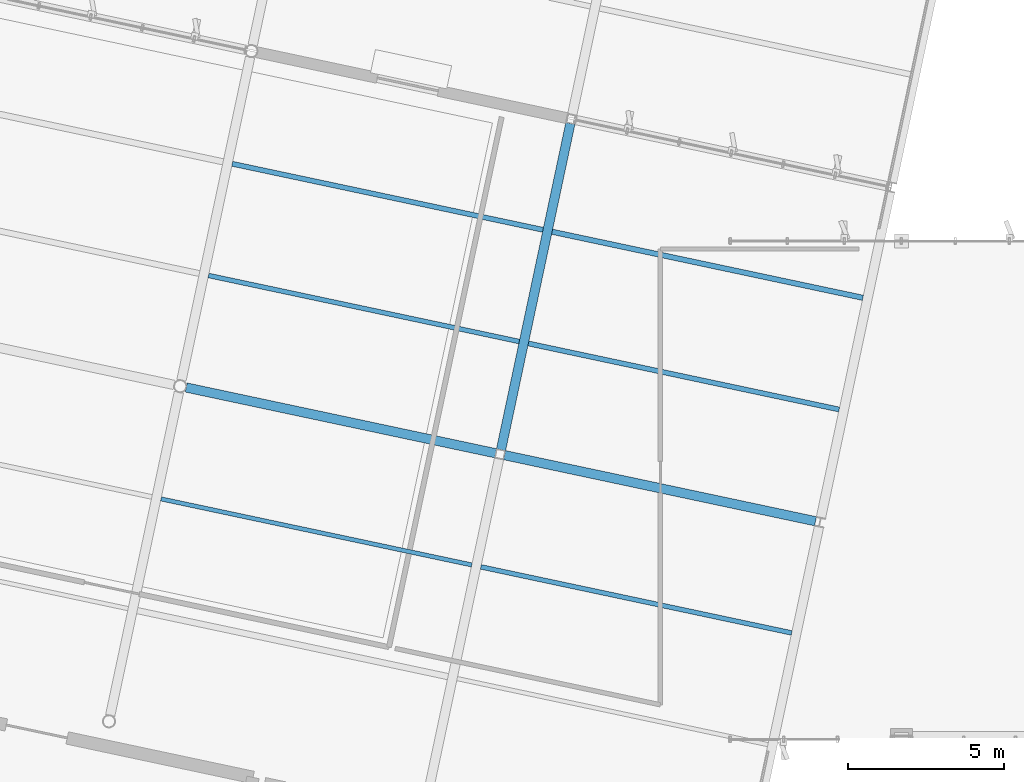
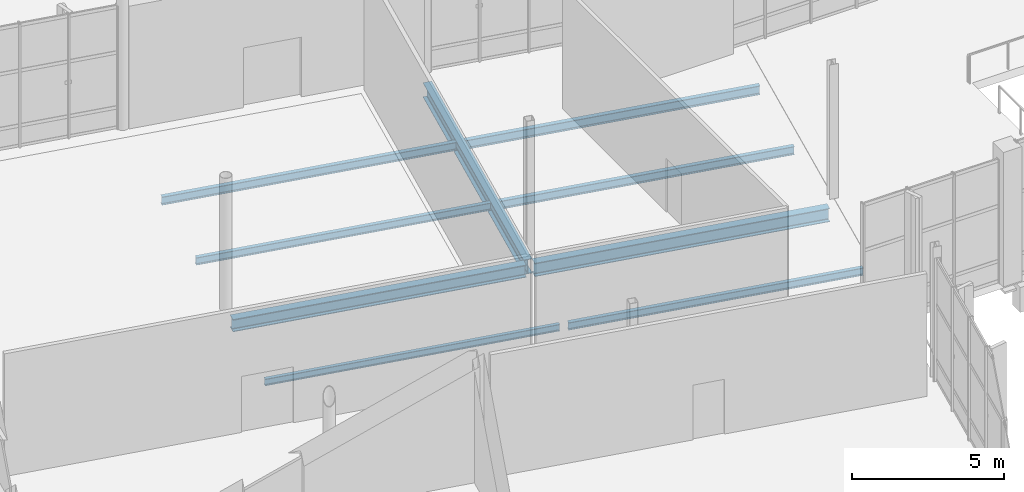
# One storey, part 38 of 176: 9 beams.
"""IFC4 building model written with IfcOpenShell, lengths in metres."""

from ifc_helpers import new_model, si_unit, direction, frame, origin, origin_2d, place, context, subcontext, project, spatial, i_section, extrude, material, material_profile, profile_set, type_object, element, save


model = new_model("IFC4")

# Units and contexts
model_context = context("Model", 3, precision=1e-05, world=origin(), true_north=direction((0.0, 1.0)))
body_context = subcontext(model_context, "Body", "Model", "MODEL_VIEW")
ifc_project = project(units=[si_unit("LENGTHUNIT", "METRE"), si_unit("AREAUNIT", "SQUARE_METRE"), si_unit("VOLUMEUNIT", "CUBIC_METRE"), si_unit("PLANEANGLEUNIT", "RADIAN"), si_unit("MASSUNIT", "GRAM", prefix="KILO")], contexts=[model_context])

# Site, building, storey
site_placement = place(None, origin())
site = spatial("IfcSite", under=ifc_project, at=site_placement, CompositionType="ELEMENT")
building_placement = place(site_placement, origin())
building = spatial("IfcBuilding", under=site, at=building_placement, Name="Khorjan Park Terminus", CompositionType="ELEMENT")
storey_placement = place(building_placement, frame((0.0, 0.0, 6.0)))
storey = spatial("IfcBuildingStorey", under=building, at=storey_placement, Name="L01", CompositionType="ELEMENT", Elevation=6.0)

# Beams
ifc_material = material(Name="Steel S355", Category="steel")
ifc_material_profile_1 = material_profile(ifc_material, i_section(OverallWidth=0.3, OverallDepth=0.54, WebThickness=0.0125, FlangeThickness=0.024, FilletRadius=0.027, at=origin_2d()), Name="HEA 550")
ifc_profile_set_1 = profile_set([ifc_material_profile_1], Name="Steel S355")
beam_type_1 = type_object("IfcBeamType", Name="BM-HEA550", PredefinedType="BEAM", material=ifc_profile_set_1)
beam_1_placement = place(storey_placement, frame((19.257, 59.123, -0.63), z_axis=(0.978147224785, -0.207913459509, 0.0), x_axis=(0.207913459509, 0.978147224785, 0.0)))
element("IfcBeam", 1, at=beam_1_placement, inside=storey, type_object=beam_type_1, Name="Primary skew-grid floor girder SB-A55 (L01)", PredefinedType="BEAM", context=body_context, shape_type="SweptSolid", body=[
    extrude(i_section(OverallWidth=0.3, OverallDepth=0.54, WebThickness=0.0125, FlangeThickness=0.024, FilletRadius=0.027, at=origin_2d()), origin(), (0.0, 0.0, 1.0), 10.21),
])
ifc_material_profile_2 = material_profile(ifc_material, i_section(OverallWidth=0.3, OverallDepth=0.59, WebThickness=0.013, FlangeThickness=0.025, FilletRadius=0.027, at=origin_2d()), Name="HEA 600")
ifc_profile_set_2 = profile_set([ifc_material_profile_2], Name="Steel S355")
beam_type_2 = type_object("IfcBeamType", Name="BM-HEA600", PredefinedType="BEAM", material=ifc_profile_set_2)
beam_2_placement = place(storey_placement, frame((19.1453, 59.2949, -0.655), z_axis=(0.207907890532, 0.978148408502, 0.0), x_axis=(-0.978148408502, 0.207907890532, 0.0)))
element("IfcBeam", 2, at=beam_2_placement, inside=storey, type_object=beam_type_2, Name="Primary skew-grid floor girder SB-A60 (L01)", PredefinedType="BEAM", context=body_context, shape_type="SweptSolid", body=[
    extrude(i_section(OverallWidth=0.3, OverallDepth=0.59, WebThickness=0.013, FlangeThickness=0.025, FilletRadius=0.027, at=origin_2d()), origin(), (0.0, 0.0, 1.0), 10.71),
])
ifc_material_profile_3 = material_profile(ifc_material, i_section(OverallWidth=0.3, OverallDepth=0.5, WebThickness=0.0145, FlangeThickness=0.028, FilletRadius=0.027, at=origin_2d()), Name="HEB 500")
ifc_profile_set_3 = profile_set([ifc_material_profile_3], Name="Steel S355")
beam_type_3 = type_object("IfcBeamType", Name="BM-HEB500", PredefinedType="BEAM", material=ifc_profile_set_3)
beam_3_placement = place(storey_placement, frame((9.0385, 61.295, -0.61), z_axis=(0.978145737137, -0.207920458156, 0.0), x_axis=(0.207920458156, 0.978145737137, 0.0)))
element("IfcBeam", 3, at=beam_3_placement, inside=storey, type_object=beam_type_3, Name="Primary skew-grid floor girder SB-B50 (L01)", PredefinedType="BEAM", context=body_context, shape_type="SweptSolid", body=[
    extrude(i_section(OverallWidth=0.3, OverallDepth=0.5, WebThickness=0.0145, FlangeThickness=0.028, FilletRadius=0.027, at=origin_2d()), origin(), (0.0, 0.0, 1.0), 10.1568),
])
ifc_material_profile_4 = material_profile(ifc_material, i_section(OverallWidth=0.135, OverallDepth=0.27, WebThickness=0.0066, FlangeThickness=0.0102, FilletRadius=0.015, at=origin_2d()), Name="IPE 270")
ifc_profile_set_4 = profile_set([ifc_material_profile_4], Name="Steel S355")
beam_type_4 = type_object("IfcBeamType", Name="JS-IPE270", PredefinedType="JOIST", material=ifc_profile_set_4)
beam_4_placement = place(storey_placement, frame((8.229, 57.7184, -0.495), z_axis=(0.978147562282, -0.207911871719, 0.0), x_axis=(0.207911871719, 0.978147562282, 0.0)))
element("IfcBeam", 4, at=beam_4_placement, inside=storey, type_object=beam_type_4, Name="Secondary composite floor joist SJ-27 (L01)", PredefinedType="JOIST", context=body_context, shape_type="SweptSolid", body=[
    extrude(i_section(OverallWidth=0.135, OverallDepth=0.27, WebThickness=0.0066, FlangeThickness=0.0102, FilletRadius=0.015, at=origin_2d()), origin(), (0.0, 0.0, 1.0), 10.2),
])
ifc_material_profile_5 = material_profile(ifc_material, i_section(OverallWidth=0.15, OverallDepth=0.3, WebThickness=0.0071, FlangeThickness=0.0107, FilletRadius=0.015, at=origin_2d()), Name="IPE 300")
ifc_profile_set_5 = profile_set([ifc_material_profile_5], Name="Steel S355")
beam_type_5 = type_object("IfcBeamType", Name="JS-IPE300", PredefinedType="JOIST", material=ifc_profile_set_5)
for number, where, z_axis, x_axis, name in (
    (5, (9.7537, 64.8916, -0.51), (0.978147562282, -0.207911871719, 0.0), (0.207911871719, 0.978147562282, 0.0), "Secondary composite floor joist SJ-30 (L01)"),
    (6, (18.4995, 55.5353, -0.51), (0.978147562282, -0.207911871719, 0.0), (0.207911871719, 0.978147562282, 0.0), "Secondary composite floor joist SJ-30 (L01)"),
):
    element("IfcBeam", number, at=place(storey_placement, frame(where, z_axis=z_axis, x_axis=x_axis)), inside=storey, type_object=beam_type_5, Name=name, PredefinedType="JOIST", context=body_context, shape_type="SweptSolid", body=[
        extrude(i_section(OverallWidth=0.15, OverallDepth=0.3, WebThickness=0.0071, FlangeThickness=0.0107, FilletRadius=0.015, at=origin_2d()), origin(), (0.0, 0.0, 1.0), 10.2),
    ])
ifc_material_profile_6 = material_profile(ifc_material, i_section(OverallWidth=0.16, OverallDepth=0.33, WebThickness=0.0075, FlangeThickness=0.0115, FilletRadius=0.018, at=origin_2d()), Name="IPE 330")
ifc_profile_set_6 = profile_set([ifc_material_profile_6], Name="Steel S355")
beam_type_6 = type_object("IfcBeamType", Name="JS-IPE330", PredefinedType="JOIST", material=ifc_profile_set_6)
for number, where, z_axis, x_axis, name in (
    (7, (10.516, 68.478, -0.525), (0.978147562282, -0.207911871719, 0.0), (0.207911871719, 0.978147562282, 0.0), "Secondary composite floor joist SJ-33 (L01)"),
    (8, (20.0242, 62.7085, -0.525), (0.978147562282, -0.207911871719, 0.0), (0.207911871719, 0.978147562282, 0.0), "Secondary composite floor joist SJ-33 (L01)"),
):
    element("IfcBeam", number, at=place(storey_placement, frame(where, z_axis=z_axis, x_axis=x_axis)), inside=storey, type_object=beam_type_6, Name=name, PredefinedType="JOIST", context=body_context, shape_type="SweptSolid", body=[
        extrude(i_section(OverallWidth=0.16, OverallDepth=0.33, WebThickness=0.0075, FlangeThickness=0.0115, FilletRadius=0.018, at=origin_2d()), origin(), (0.0, 0.0, 1.0), 10.2),
    ])
ifc_material_profile_7 = material_profile(ifc_material, i_section(OverallWidth=0.17, OverallDepth=0.36, WebThickness=0.008, FlangeThickness=0.0127, FilletRadius=0.018, at=origin_2d()), Name="IPE 360")
ifc_profile_set_7 = profile_set([ifc_material_profile_7], Name="Steel S355")
beam_type_7 = type_object("IfcBeamType", Name="JS-IPE360", PredefinedType="JOIST", material=ifc_profile_set_7)
beam_5_placement = place(storey_placement, frame((20.7866, 66.295, -0.54), z_axis=(0.978147562282, -0.207911871719, 0.0), x_axis=(0.207911871719, 0.978147562282, 0.0)))
element("IfcBeam", 9, at=beam_5_placement, inside=storey, type_object=beam_type_7, Name="Secondary composite floor joist SJ-36 (L01)", PredefinedType="JOIST", context=body_context, shape_type="SweptSolid", body=[
    extrude(i_section(OverallWidth=0.17, OverallDepth=0.36, WebThickness=0.008, FlangeThickness=0.0127, FilletRadius=0.018, at=origin_2d()), origin(), (0.0, 0.0, 1.0), 10.2),
])

save(model, "model.ifc")
